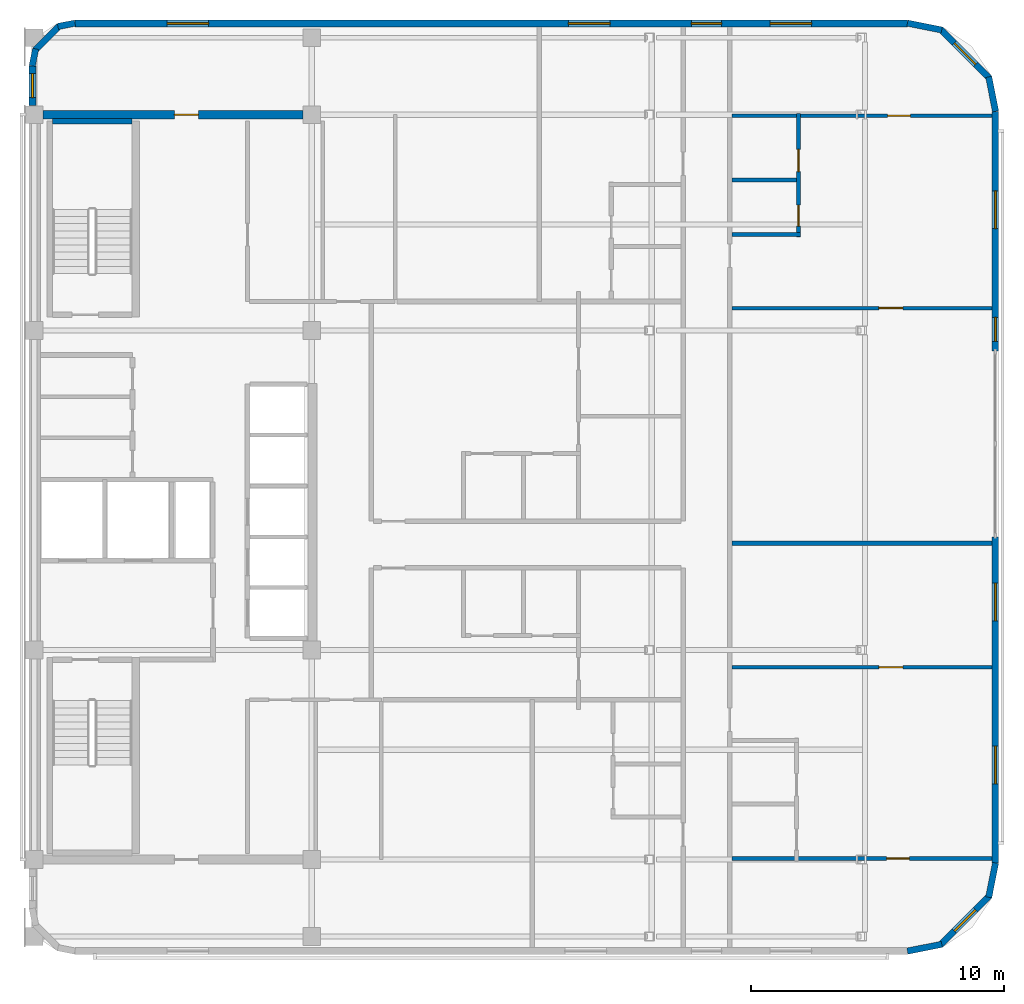
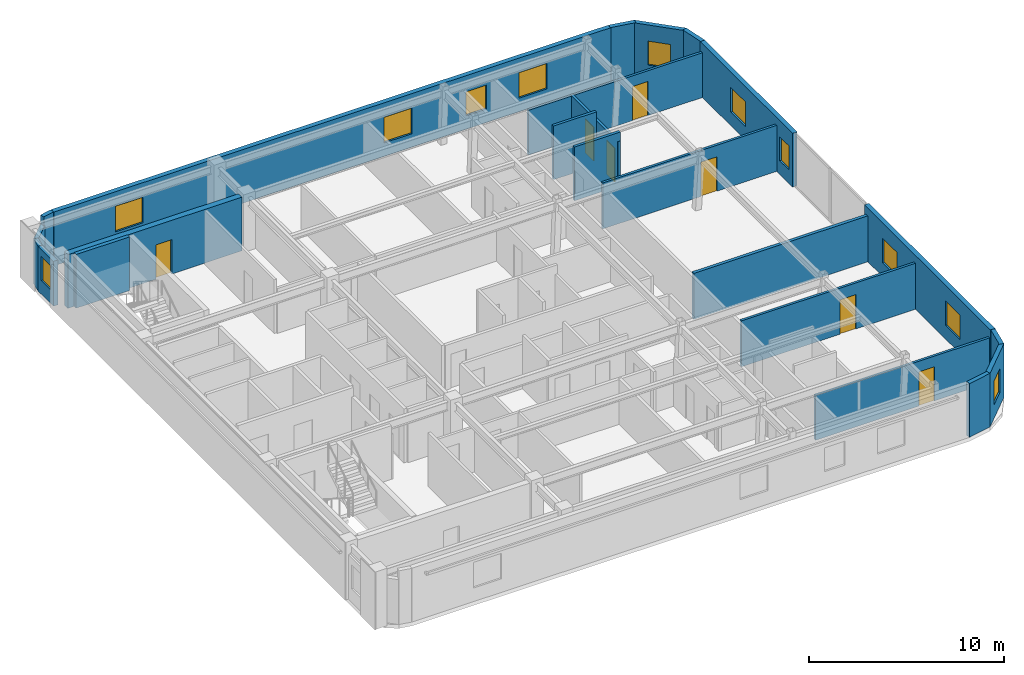
# One storey, part 6 of 10: 23 walls, 11 windows, 7 doors, 18 openings.
"""IFC4 building model written with IfcOpenShell, lengths in metres."""

from ifc_helpers import new_model, si_unit, direction, frame, frame_2d, origin, place, context, subcontext, project, spatial, rectangle, extrude, material, layer, layer_set, type_object, element, fill, save


model = new_model("IFC4")

# Units and contexts
model_context = context("Model", 3, precision=1e-05, world=origin(), true_north=direction((0.0, 1.0)))
body_context = subcontext(model_context, "Body", "Model", "MODEL_VIEW")
ifc_project = project(units=[si_unit("LENGTHUNIT", "METRE"), si_unit("AREAUNIT", "SQUARE_METRE"), si_unit("VOLUMEUNIT", "CUBIC_METRE"), si_unit("PLANEANGLEUNIT", "RADIAN"), si_unit("MASSUNIT", "GRAM", prefix="KILO")], contexts=[model_context])

# Site, building, storey
site_placement = place(None, origin())
site = spatial("IfcSite", under=ifc_project, at=site_placement, CompositionType="ELEMENT")
building_placement = place(site_placement, origin())
building = spatial("IfcBuilding", under=site, at=building_placement, Name="Ochreholt Gables", CompositionType="ELEMENT")
storey_placement = place(building_placement, frame((0.0, 0.0, 246.0)))
storey = spatial("IfcBuildingStorey", under=building, at=storey_placement, Name="L64", CompositionType="ELEMENT", Elevation=246.0)

# Wall, opening, door
ifc_material_1 = material(Name="Concrete 50 MPa", Category="concrete")
ifc_layer_1 = layer(ifc_material_1, 0.35009765625, Name="Concrete 50 MPa")
ifc_layer_set_1 = layer_set([ifc_layer_1], Name="Concrete 50 MPa")
wall_type_1 = type_object("IfcWallType", Name="WALL-CSW-350", PredefinedType="SHEAR", material=ifc_layer_set_1)
wall_1_placement = place(storey_placement, frame((24.550048828125, 38.75, 0.0), z_axis=(0.0, 0.0, 1.0), x_axis=(1.0, 0.0, 0.0)))
wall_1 = element("IfcWall", 1, at=wall_1_placement, inside=storey, type_object=wall_type_1, Name="L64 Core North Shear Wall", PredefinedType="SHEAR", context=body_context, shape_type="SweptSolid", body=[
    extrude(rectangle(XDim=10.300048828125, YDim=0.35009765625, at=frame_2d((5.14990234375, 0.0))), origin(), (0.0, 0.0, 1.0), 3.360107421875),
])
opening_1_placement = place(wall_1_placement, frame((5.199951171875, 0.0, 0.0)))
opening_1 = element("IfcOpeningElement", 2, at=opening_1_placement, cuts=wall_1, Name="Opening D-FL2", PredefinedType="OPENING", context=body_context, shape_type="SweptSolid", body=[
    extrude(rectangle(XDim=0.949951171875, YDim=2.14990234375, at=frame_2d((0.47509765625, 1.074951171875))), frame((0.0, 0.18505859375, 0.0), z_axis=(0.0, -1.0, 0.0), x_axis=(1.0, 0.0, 0.0)), (0.0, 0.0, 1.0), 0.3701171875),
])
ifc_material_2 = material(Name="Hollow Metal Steel", Category="steel")
door_type_1 = type_object("IfcDoorType", Name="DR-INT-FLB950", OperationType="NOTDEFINED", PredefinedType="DOOR", material=ifc_material_2)
door_1_placement = place(opening_1_placement, origin())
door_1 = element("IfcDoor", 3, at=door_1_placement, inside=storey, type_object=door_type_1, Name="L64 Door D-C3NSR-L64", OperationType="SINGLE_SWING_RIGHT", OverallHeight=2.14990234375, OverallWidth=0.949951171875, PredefinedType="DOOR", context=body_context, shape_type="SweptSolid", body=[
    extrude(rectangle(XDim=0.949951171875, YDim=2.14990234375, at=frame_2d((0.47509765625, 1.074951171875))), frame((0.0, 0.02490234375, 0.0), z_axis=(0.0, -1.0, 0.0), x_axis=(1.0, 0.0, 0.0)), (0.0, 0.0, 1.0), 0.050048828125),
])
fill(opening_1, door_1)

# Wall, openings, windows
ifc_material_3 = material(Name="Precast concrete 40 MPa", Category="concrete")
ifc_layer_2 = layer(ifc_material_3, 0.27001953125, Name="Precast concrete 40 MPa")
ifc_layer_set_2 = layer_set([ifc_layer_2], Name="Precast concrete 40 MPa")
wall_type_2 = type_object("IfcWallType", Name="WALL-EXT-270", PredefinedType="SOLIDWALL", material=ifc_layer_set_2)
wall_2_placement = place(storey_placement, frame((62.264892578125, 9.1201171875, 0.0), z_axis=(0.0, 0.0, 1.0), x_axis=(0.0, 1.0, 0.0)))
wall_2 = element("IfcWall", 4, at=wall_2_placement, inside=storey, type_object=wall_type_2, Name="L64 East Facade Wall 1", PredefinedType="SOLIDWALL", context=body_context, shape_type="SweptSolid", body=[
    extrude(rectangle(XDim=12.909912109375, YDim=0.27001953125, at=frame_2d((6.455078125, 0.0))), origin(), (0.0, 0.0, 1.0), 3.360107421875),
])
opening_2_placement = place(wall_2_placement, frame((3.12451171875, 0.0, 0.85009765625)))
opening_2 = element("IfcOpeningElement", 5, at=opening_2_placement, cuts=wall_2, Name="Opening WN-2", PredefinedType="OPENING", context=body_context, shape_type="SweptSolid", body=[
    extrude(rectangle(XDim=1.5, YDim=1.550048828125, at=frame_2d((0.75, 0.77490234375))), frame((0.0, 0.14501953125, 0.0), z_axis=(0.0, -1.0, 0.0), x_axis=(1.0, 0.0, 0.0)), (0.0, 0.0, 1.0), 0.2900390625),
])
opening_3_placement = place(wall_2_placement, frame((9.579345703125, 0.0, 0.85009765625)))
opening_3 = element("IfcOpeningElement", 6, at=opening_3_placement, cuts=wall_2, Name="Opening WN-2", PredefinedType="OPENING", context=body_context, shape_type="SweptSolid", body=[
    extrude(rectangle(XDim=1.5, YDim=1.550048828125, at=frame_2d((0.75, 0.77490234375))), frame((0.0, 0.14501953125, 0.0), z_axis=(0.0, -1.0, 0.0), x_axis=(1.0, 0.0, 0.0)), (0.0, 0.0, 1.0), 0.2900390625),
])
ifc_material_4 = material(Name="Triple-Glazed Thermally Broken Aluminium Window", Category="aluminium")
window_type_1 = type_object("IfcWindowType", Name="WIN-RES-1500", PartitioningType="SINGLE_PANEL", PredefinedType="WINDOW", material=ifc_material_4)
window_1_placement = place(opening_2_placement, origin())
window_1 = element("IfcWindow", 7, at=window_1_placement, inside=storey, type_object=window_type_1, Name="L64 Window W-EXT-E1-L64-1", OverallHeight=1.550048828125, OverallWidth=1.5, PartitioningType="SINGLE_PANEL", PredefinedType="WINDOW", context=body_context, shape_type="SweptSolid", body=[
    extrude(rectangle(XDim=1.5, YDim=1.550048828125, at=frame_2d((0.75, 0.77490234375))), frame((0.0, 0.030029296875, 0.0), z_axis=(0.0, -1.0, 0.0), x_axis=(1.0, 0.0, 0.0)), (0.0, 0.0, 1.0), 0.06005859375),
])
fill(opening_2, window_1)
window_2_placement = place(opening_3_placement, origin())
window_2 = element("IfcWindow", 8, at=window_2_placement, inside=storey, type_object=window_type_1, Name="L64 Window W-EXT-E1-L64-2", OverallHeight=1.550048828125, OverallWidth=1.5, PartitioningType="SINGLE_PANEL", PredefinedType="WINDOW", context=body_context, shape_type="SweptSolid", body=[
    extrude(rectangle(XDim=1.5, YDim=1.550048828125, at=frame_2d((0.75, 0.77490234375))), frame((0.0, 0.030029296875, 0.0), z_axis=(0.0, -1.0, 0.0), x_axis=(1.0, 0.0, 0.0)), (0.0, 0.0, 1.0), 0.06005859375),
])
fill(opening_3, window_2)

wall_3_placement = place(storey_placement, frame((62.264892578125, 29.39990234375, 0.0), z_axis=(0.0, 0.0, 1.0), x_axis=(0.0, 1.0, 0.0)))
wall_3 = element("IfcWall", 9, at=wall_3_placement, inside=storey, type_object=wall_type_2, Name="L64 East Facade Wall 2", PredefinedType="SOLIDWALL", context=body_context, shape_type="SweptSolid", body=[
    extrude(rectangle(XDim=9.47998046875, YDim=0.27001953125, at=frame_2d((4.739990234375, 0.0))), origin(), (0.0, 0.0, 1.0), 3.360107421875),
])
opening_4_placement = place(wall_3_placement, frame((0.3701171875, 0.0, 0.85009765625)))
opening_4 = element("IfcOpeningElement", 10, at=opening_4_placement, cuts=wall_3, Name="Opening WN-10", PredefinedType="OPENING", context=body_context, shape_type="SweptSolid", body=[
    extrude(rectangle(XDim=0.949951171875, YDim=1.5, at=frame_2d((0.47509765625, 0.75))), frame((0.0, 0.14501953125, 0.0), z_axis=(0.0, -1.0, 0.0), x_axis=(1.0, 0.0, 0.0)), (0.0, 0.0, 1.0), 0.2900390625),
])
opening_5_placement = place(wall_3_placement, frame((4.8349609375, 0.0, 0.85009765625)))
opening_5 = element("IfcOpeningElement", 11, at=opening_5_placement, cuts=wall_3, Name="Opening WN-2", PredefinedType="OPENING", context=body_context, shape_type="SweptSolid", body=[
    extrude(rectangle(XDim=1.5, YDim=1.550048828125, at=frame_2d((0.75, 0.77490234375))), frame((0.0, 0.14501953125, 0.0), z_axis=(0.0, -1.0, 0.0), x_axis=(1.0, 0.0, 0.0)), (0.0, 0.0, 1.0), 0.2900390625),
])
window_3_placement = place(opening_5_placement, origin())
window_3 = element("IfcWindow", 12, at=window_3_placement, inside=storey, type_object=window_type_1, Name="L64 Window W-EXT-E2-L64-2", OverallHeight=1.550048828125, OverallWidth=1.5, PartitioningType="SINGLE_PANEL", PredefinedType="WINDOW", context=body_context, shape_type="SweptSolid", body=[
    extrude(rectangle(XDim=1.5, YDim=1.550048828125, at=frame_2d((0.75, 0.77490234375))), frame((0.0, 0.030029296875, 0.0), z_axis=(0.0, -1.0, 0.0), x_axis=(1.0, 0.0, 0.0)), (0.0, 0.0, 1.0), 0.06005859375),
])
fill(opening_5, window_3)
window_type_2 = type_object("IfcWindowType", Name="WIN-RES-950", PartitioningType="SINGLE_PANEL", PredefinedType="WINDOW", material=ifc_material_4)
window_4_placement = place(opening_4_placement, origin())
window_4 = element("IfcWindow", 13, at=window_4_placement, inside=storey, type_object=window_type_2, Name="L64 Window W-EXT-E2-L64-1", OverallHeight=1.5, OverallWidth=0.949951171875, PartitioningType="SINGLE_PANEL", PredefinedType="WINDOW", context=body_context, shape_type="SweptSolid", body=[
    extrude(rectangle(XDim=0.949951171875, YDim=1.5, at=frame_2d((0.47509765625, 0.75))), frame((0.0, 0.030029296875, 0.0), z_axis=(0.0, -1.0, 0.0), x_axis=(1.0, 0.0, 0.0)), (0.0, 0.0, 1.0), 0.06005859375),
])
fill(opening_4, window_4)

wall_4_placement = place(storey_placement, frame((58.780029296875, 42.364990234375, 0.0), z_axis=(0.0, 0.0, 1.0), x_axis=(-1.0, 0.0, 0.0)))
wall_4 = element("IfcWall", 14, at=wall_4_placement, inside=storey, type_object=wall_type_2, Name="L64 North Exterior Wall", PredefinedType="SOLIDWALL", context=body_context, shape_type="SweptSolid", body=[
    extrude(rectangle(XDim=32.9599609375, YDim=0.27001953125, at=frame_2d((16.47998046875, 0.0))), origin(), (0.0, 0.0, 1.0), 3.360107421875),
])
opening_6_placement = place(wall_4_placement, frame((27.6650390625, 0.0, 0.85009765625)))
opening_6 = element("IfcOpeningElement", 15, at=opening_6_placement, cuts=wall_4, Name="Opening WN-7", PredefinedType="OPENING", context=body_context, shape_type="SweptSolid", body=[
    extrude(rectangle(XDim=1.64990234375, YDim=1.60009765625, at=frame_2d((0.824951171875, 0.800048828125))), frame((0.0, 0.14501953125, 0.0), z_axis=(0.0, -1.0, 0.0), x_axis=(1.0, 0.0, 0.0)), (0.0, 0.0, 1.0), 0.2900390625),
])
opening_7_placement = place(wall_4_placement, frame((11.7705078125, 0.0, 0.85009765625)))
opening_7 = element("IfcOpeningElement", 16, at=opening_7_placement, cuts=wall_4, Name="Opening WN-7", PredefinedType="OPENING", context=body_context, shape_type="SweptSolid", body=[
    extrude(rectangle(XDim=1.64990234375, YDim=1.60009765625, at=frame_2d((0.824951171875, 0.800048828125))), frame((0.0, 0.14501953125, 0.0), z_axis=(0.0, -1.0, 0.0), x_axis=(1.0, 0.0, 0.0)), (0.0, 0.0, 1.0), 0.2900390625),
])
opening_8_placement = place(wall_4_placement, frame((7.35498046875, 0.0, 0.85009765625)))
opening_8 = element("IfcOpeningElement", 17, at=opening_8_placement, cuts=wall_4, Name="Opening WN-3", PredefinedType="OPENING", context=body_context, shape_type="SweptSolid", body=[
    extrude(rectangle(XDim=1.199951171875, YDim=1.5, at=frame_2d((0.60009765625, 0.75))), frame((0.0, 0.14501953125, 0.0), z_axis=(0.0, -1.0, 0.0), x_axis=(1.0, 0.0, 0.0)), (0.0, 0.0, 1.0), 0.2900390625),
])
opening_9_placement = place(wall_4_placement, frame((3.785400390625, 0.0, 0.85009765625)))
opening_9 = element("IfcOpeningElement", 18, at=opening_9_placement, cuts=wall_4, Name="Opening WN-7", PredefinedType="OPENING", context=body_context, shape_type="SweptSolid", body=[
    extrude(rectangle(XDim=1.64990234375, YDim=1.60009765625, at=frame_2d((0.824951171875, 0.800048828125))), frame((0.0, 0.14501953125, 0.0), z_axis=(0.0, -1.0, 0.0), x_axis=(1.0, 0.0, 0.0)), (0.0, 0.0, 1.0), 0.2900390625),
])
window_type_3 = type_object("IfcWindowType", Name="WIN-RES-1200", PartitioningType="SINGLE_PANEL", PredefinedType="WINDOW", material=ifc_material_4)
window_5_placement = place(opening_8_placement, origin())
window_5 = element("IfcWindow", 19, at=window_5_placement, inside=storey, type_object=window_type_3, Name="L64 Window W-EXT-N-L64-3", OverallHeight=1.5, OverallWidth=1.199951171875, PartitioningType="SINGLE_PANEL", PredefinedType="WINDOW", context=body_context, shape_type="SweptSolid", body=[
    extrude(rectangle(XDim=1.199951171875, YDim=1.5, at=frame_2d((0.60009765625, 0.75))), frame((0.0, 0.030029296875, 0.0), z_axis=(0.0, -1.0, 0.0), x_axis=(1.0, 0.0, 0.0)), (0.0, 0.0, 1.0), 0.06005859375),
])
fill(opening_8, window_5)
window_type_4 = type_object("IfcWindowType", Name="WIN-RES-1650", PartitioningType="SINGLE_PANEL", PredefinedType="WINDOW", material=ifc_material_4)
window_6_placement = place(opening_6_placement, origin())
window_6 = element("IfcWindow", 20, at=window_6_placement, inside=storey, type_object=window_type_4, Name="L64 Window W-EXT-N-L64-1", OverallHeight=1.60009765625, OverallWidth=1.64990234375, PartitioningType="SINGLE_PANEL", PredefinedType="WINDOW", context=body_context, shape_type="SweptSolid", body=[
    extrude(rectangle(XDim=1.64990234375, YDim=1.60009765625, at=frame_2d((0.824951171875, 0.800048828125))), frame((0.0, 0.030029296875, 0.0), z_axis=(0.0, -1.0, 0.0), x_axis=(1.0, 0.0, 0.0)), (0.0, 0.0, 1.0), 0.06005859375),
])
fill(opening_6, window_6)
window_7_placement = place(opening_7_placement, origin())
window_7 = element("IfcWindow", 21, at=window_7_placement, inside=storey, type_object=window_type_4, Name="L64 Window W-EXT-N-L64-2", OverallHeight=1.60009765625, OverallWidth=1.64990234375, PartitioningType="SINGLE_PANEL", PredefinedType="WINDOW", context=body_context, shape_type="SweptSolid", body=[
    extrude(rectangle(XDim=1.64990234375, YDim=1.60009765625, at=frame_2d((0.824951171875, 0.800048828125))), frame((0.0, 0.030029296875, 0.0), z_axis=(0.0, -1.0, 0.0), x_axis=(1.0, 0.0, 0.0)), (0.0, 0.0, 1.0), 0.06005859375),
])
fill(opening_7, window_7)
window_8_placement = place(opening_9_placement, origin())
window_8 = element("IfcWindow", 22, at=window_8_placement, inside=storey, type_object=window_type_4, Name="L64 Window W-EXT-N-L64-4", OverallHeight=1.60009765625, OverallWidth=1.64990234375, PartitioningType="SINGLE_PANEL", PredefinedType="WINDOW", context=body_context, shape_type="SweptSolid", body=[
    extrude(rectangle(XDim=1.64990234375, YDim=1.60009765625, at=frame_2d((0.824951171875, 0.800048828125))), frame((0.0, 0.030029296875, 0.0), z_axis=(0.0, -1.0, 0.0), x_axis=(1.0, 0.0, 0.0)), (0.0, 0.0, 1.0), 0.06005859375),
])
fill(opening_9, window_8)

# Wall, opening, window
wall_5_placement = place(storey_placement, frame((24.135009765625, 39.1201171875, 0.0), z_axis=(0.0, 0.0, 1.0), x_axis=(0.0, 1.0, 0.0)))
wall_5 = element("IfcWall", 23, at=wall_5_placement, inside=storey, type_object=wall_type_2, Name="L64 West Facade North Bay Wall", PredefinedType="SOLIDWALL", context=body_context, shape_type="SweptSolid", body=[
    extrude(rectangle(XDim=1.559814453125, YDim=0.27001953125, at=frame_2d((0.77978515625, 0.0))), origin(), (0.0, 0.0, 1.0), 2.802978515625),
])
opening_10_placement = place(wall_5_placement, frame((0.304931640625, 0.0, 0.85009765625)))
opening_10 = element("IfcOpeningElement", 24, at=opening_10_placement, cuts=wall_5, Name="Opening WN-10", PredefinedType="OPENING", context=body_context, shape_type="SweptSolid", body=[
    extrude(rectangle(XDim=0.949951171875, YDim=1.5, at=frame_2d((0.47509765625, 0.75))), frame((0.0, 0.14501953125, 0.0), z_axis=(0.0, -1.0, 0.0), x_axis=(1.0, 0.0, 0.0)), (0.0, 0.0, 1.0), 0.2900390625),
])
window_9_placement = place(opening_10_placement, origin())
window_9 = element("IfcWindow", 25, at=window_9_placement, inside=storey, type_object=window_type_2, Name="L64 North Sky Reading West Window", OverallHeight=1.5, OverallWidth=0.949951171875, PartitioningType="SINGLE_PANEL", PredefinedType="WINDOW", context=body_context, shape_type="SweptSolid", body=[
    extrude(rectangle(XDim=0.949951171875, YDim=1.5, at=frame_2d((0.47509765625, 0.75))), frame((0.0, 0.030029296875, 0.0), z_axis=(0.0, -1.0, 0.0), x_axis=(1.0, 0.0, 0.0)), (0.0, 0.0, 1.0), 0.06005859375),
])
fill(opening_10, window_9)

# Wall
ifc_layer_3 = layer(ifc_material_3, 0.25, Name="Precast concrete 40 MPa")
ifc_layer_set_3 = layer_set([ifc_layer_3], Name="Precast concrete 40 MPa")
wall_type_3 = type_object("IfcWallType", Name="WALL-EXT-CNR", PredefinedType="SOLIDWALL", material=ifc_layer_set_3)
wall_6_placement = place(storey_placement, frame((58.783447265625, 5.624267578125, 0.0), z_axis=(0.0, 0.0, 1.0), x_axis=(0.980809899341, 0.19496651342, 0.0)))
element("IfcWall", 26, at=wall_6_placement, inside=storey, type_object=wall_type_3, Name="L64 Rounded Corner Wall SE-1", PredefinedType="SOLIDWALL", context=body_context, shape_type="SweptSolid", body=[
    extrude(rectangle(XDim=1.388671875, YDim=0.25, at=frame_2d((0.6943359375, 0.0))), origin(), (0.0, 0.0, 1.0), 3.360107421875),
])

# Wall, opening, window
wall_7_placement = place(storey_placement, frame((60.094970703125, 5.867919921875, 0.0), z_axis=(0.0, 0.0, 1.0), x_axis=(0.707106781187, 0.707106781187, 0.0)))
wall_7 = element("IfcWall", 27, at=wall_7_placement, inside=storey, type_object=wall_type_3, Name="L64 Rounded Corner Wall SE-2", PredefinedType="SOLIDWALL", context=body_context, shape_type="SweptSolid", body=[
    extrude(rectangle(XDim=2.7392578125, YDim=0.25, at=frame_2d((1.36962890625, 0.0))), origin(), (0.0, 0.0, 1.0), 3.360107421875),
])
opening_11_placement = place(wall_7_placement, frame((0.769775390625, 0.0, 0.85009765625)))
opening_11 = element("IfcOpeningElement", 28, at=opening_11_placement, cuts=wall_7, Name="Opening WN-3", PredefinedType="OPENING", context=body_context, shape_type="SweptSolid", body=[
    extrude(rectangle(XDim=1.199951171875, YDim=1.5, at=frame_2d((0.60009765625, 0.75))), frame((0.0, 0.135009765625, 0.0), z_axis=(0.0, -1.0, 0.0), x_axis=(1.0, 0.0, 0.0)), (0.0, 0.0, 1.0), 0.27001953125),
])
window_10_placement = place(opening_11_placement, origin())
window_10 = element("IfcWindow", 29, at=window_10_placement, inside=storey, type_object=window_type_3, Name="L64 Corner Bedroom Window SE", OverallHeight=1.5, OverallWidth=1.199951171875, PartitioningType="SINGLE_PANEL", PredefinedType="WINDOW", context=body_context, shape_type="SweptSolid", body=[
    extrude(rectangle(XDim=1.199951171875, YDim=1.5, at=frame_2d((0.60009765625, 0.75))), frame((0.0, 0.030029296875, 0.0), z_axis=(0.0, -1.0, 0.0), x_axis=(1.0, 0.0, 0.0)), (0.0, 0.0, 1.0), 0.06005859375),
])
fill(opening_11, window_10)

# Walls
for number, where, z_axis, x_axis, name in (
    (30, (62.0048828125, 7.75439453125, 0.0), (0.0, 0.0, 1.0), (0.195135625965, 0.9807762678, 0.0), "L64 Rounded Corner Wall SE-3"),
    (31, (62.27587890625, 38.883544921875, 0.0), (0.0, 0.0, 1.0), (-0.195135625965, 0.9807762678, 0.0), "L64 Rounded Corner Wall NE-1"),
):
    element("IfcWall", number, at=place(storey_placement, frame(where, z_axis=z_axis, x_axis=x_axis)), inside=storey, type_object=wall_type_3, Name=name, PredefinedType="SOLIDWALL", context=body_context, shape_type="SweptSolid", body=[
        extrude(rectangle(XDim=1.388671875, YDim=0.25, at=frame_2d((0.6943359375, 0.0))), origin(), (0.0, 0.0, 1.0), 3.360107421875),
    ])

# Wall, opening, window
wall_8_placement = place(storey_placement, frame((62.031982421875, 40.195068359375, 0.0), z_axis=(0.0, 0.0, 1.0), x_axis=(-0.707106781187, 0.707106781187, 0.0)))
wall_8 = element("IfcWall", 32, at=wall_8_placement, inside=storey, type_object=wall_type_3, Name="L64 Rounded Corner Wall NE-2", PredefinedType="SOLIDWALL", context=body_context, shape_type="SweptSolid", body=[
    extrude(rectangle(XDim=2.7392578125, YDim=0.25, at=frame_2d((1.36962890625, 0.0))), origin(), (0.0, 0.0, 1.0), 3.360107421875),
])
opening_12_placement = place(wall_8_placement, frame((0.769775390625, 0.0, 0.85009765625)))
opening_12 = element("IfcOpeningElement", 33, at=opening_12_placement, cuts=wall_8, Name="Opening WN-3", PredefinedType="OPENING", context=body_context, shape_type="SweptSolid", body=[
    extrude(rectangle(XDim=1.199951171875, YDim=1.5, at=frame_2d((0.60009765625, 0.75))), frame((0.0, 0.135009765625, 0.0), z_axis=(0.0, -1.0, 0.0), x_axis=(1.0, 0.0, 0.0)), (0.0, 0.0, 1.0), 0.27001953125),
])
window_11_placement = place(opening_12_placement, origin())
window_11 = element("IfcWindow", 34, at=window_11_placement, inside=storey, type_object=window_type_3, Name="L64 Corner Bedroom Window NE", OverallHeight=1.5, OverallWidth=1.199951171875, PartitioningType="SINGLE_PANEL", PredefinedType="WINDOW", context=body_context, shape_type="SweptSolid", body=[
    extrude(rectangle(XDim=1.199951171875, YDim=1.5, at=frame_2d((0.60009765625, 0.75))), frame((0.0, 0.030029296875, 0.0), z_axis=(0.0, -1.0, 0.0), x_axis=(1.0, 0.0, 0.0)), (0.0, 0.0, 1.0), 0.06005859375),
])
fill(opening_12, window_11)

# Walls
wall_9_placement = place(storey_placement, frame((60.1455078125, 42.10498046875, 0.0), z_axis=(0.0, 0.0, 1.0), x_axis=(-0.980809899341, 0.19496651342, 0.0)))
element("IfcWall", 35, at=wall_9_placement, inside=storey, type_object=wall_type_3, Name="L64 Rounded Corner Wall NE-3", PredefinedType="SOLIDWALL", context=body_context, shape_type="SweptSolid", body=[
    extrude(rectangle(XDim=1.388671875, YDim=0.25, at=frame_2d((0.6943359375, 0.0))), origin(), (0.0, 0.0, 1.0), 3.360107421875),
])
wall_10_placement = place(storey_placement, frame((25.81640625, 42.375732421875, 0.0), z_axis=(0.0, 0.0, 1.0), x_axis=(-0.980812594069, -0.194952956674, 0.0)))
element("IfcWall", 36, at=wall_10_placement, inside=storey, type_object=wall_type_3, Name="L64 Rounded Corner Wall NW-1", PredefinedType="SOLIDWALL", context=body_context, shape_type="SweptSolid", body=[
    extrude(rectangle(XDim=0.686279296875, YDim=0.25, at=frame_2d((0.34326171875, 0.0))), origin(), (0.0, 0.0, 1.0), 3.360107421875),
])
wall_11_placement = place(storey_placement, frame((25.19384765625, 42.26904296875, 0.0), z_axis=(0.0, 0.0, 1.0), x_axis=(-0.707106781187, -0.707106781187, 0.0)))
element("IfcWall", 37, at=wall_11_placement, inside=storey, type_object=wall_type_3, Name="L64 Rounded Corner Wall NW-2", PredefinedType="SOLIDWALL", context=body_context, shape_type="SweptSolid", body=[
    extrude(rectangle(XDim=1.36181640625, YDim=0.25, at=frame_2d((0.680908203125, 0.0))), origin(), (0.0, 0.0, 1.0), 2.802978515625),
])
wall_12_placement = place(storey_placement, frame((24.258056640625, 41.356689453125, 0.0), z_axis=(0.0, 0.0, 1.0), x_axis=(-0.194952956674, -0.980812594069, 0.0)))
element("IfcWall", 38, at=wall_12_placement, inside=storey, type_object=wall_type_3, Name="L64 Rounded Corner Wall NW-3", PredefinedType="SOLIDWALL", context=body_context, shape_type="SweptSolid", body=[
    extrude(rectangle(XDim=0.686279296875, YDim=0.25, at=frame_2d((0.34326171875, 0.0))), origin(), (0.0, 0.0, 1.0), 2.802978515625),
])
ifc_material_5 = material(Name="Double-Stud Acoustic Demising Wall", Category="gypsum")
ifc_layer_4 = layer(ifc_material_5, 0.18505859375, Name="Double-Stud Acoustic Demising Wall")
ifc_layer_set_4 = layer_set([ifc_layer_4], Name="Double-Stud Acoustic Demising Wall")
wall_type_4 = type_object("IfcWallType", Name="WALL-INT-DM185", PredefinedType="PARTITIONING", material=ifc_layer_set_4)
wall_13_placement = place(storey_placement, frame((51.840087890625, 21.780029296875, 0.0), z_axis=(0.0, 0.0, 1.0), x_axis=(1.0, 0.0, 0.0)))
element("IfcWall", 39, at=wall_13_placement, inside=storey, type_object=wall_type_4, Name="L64 Interior Wall WI-C3UDE2-L64", PredefinedType="PARTITIONING", context=body_context, shape_type="SweptSolid", body=[
    extrude(rectangle(XDim=10.289794921875, YDim=0.18505859375, at=frame_2d((5.14501953125, 0.0))), origin(), (0.0, 0.0, 1.0), 2.87890625),
])
ifc_material_6 = material(Name="Moisture-Resistant Plumbing Chase Wall", Category="gypsum")
ifc_layer_5 = layer(ifc_material_6, 0.159912109375, Name="Moisture-Resistant Plumbing Chase Wall")
ifc_layer_set_5 = layer_set([ifc_layer_5], Name="Moisture-Resistant Plumbing Chase Wall")
wall_type_5 = type_object("IfcWallType", Name="WALL-INT-PL160", PredefinedType="PLUMBINGWALL", material=ifc_layer_set_5)
wall_14_placement = place(storey_placement, frame((51.840087890625, 34.0029296875, 0.0), z_axis=(0.0, 0.0, 1.0), x_axis=(1.0, 0.0, 0.0)))
element("IfcWall", 40, at=wall_14_placement, inside=storey, type_object=wall_type_5, Name="L64 Interior Wall WU-L64E2-FYS", PredefinedType="PLUMBINGWALL", context=body_context, shape_type="SweptSolid", body=[
    extrude(rectangle(XDim=2.7119140625, YDim=0.159912109375, at=frame_2d((1.35595703125, 0.0))), origin(), (0.0, 0.0, 1.0), 3.360107421875),
])

# Wall, openings, doors
wall_15_placement = place(storey_placement, frame((54.471923828125, 33.9130859375, 0.0), z_axis=(0.0, 0.0, 1.0), x_axis=(0.0, 1.0, 0.0)))
wall_15 = element("IfcWall", 41, at=wall_15_placement, inside=storey, type_object=wall_type_5, Name="L64 Interior Wall WU-L64E2-WX", PredefinedType="PLUMBINGWALL", context=body_context, shape_type="SweptSolid", body=[
    extrude(rectangle(XDim=4.886962890625, YDim=0.159912109375, at=frame_2d((2.443359375, 0.0))), origin(), (0.0, 0.0, 1.0), 2.802978515625),
])
opening_13_placement = place(wall_15_placement, frame((0.419921875, 0.0, 0.0)))
opening_13 = element("IfcOpeningElement", 42, at=opening_13_placement, cuts=wall_15, Name="Opening D-BT2", PredefinedType="OPENING", context=body_context, shape_type="SweptSolid", body=[
    extrude(rectangle(XDim=0.840087890625, YDim=2.1201171875, at=frame_2d((0.419921875, 1.06005859375))), frame((0.0, 0.08984375, 0.0), z_axis=(0.0, -1.0, 0.0), x_axis=(1.0, 0.0, 0.0)), (0.0, 0.0, 1.0), 0.179931640625),
])
opening_14_placement = place(wall_15_placement, frame((2.585205078125, 0.0, 0.0)))
opening_14 = element("IfcOpeningElement", 43, at=opening_14_placement, cuts=wall_15, Name="Opening D-GN2", PredefinedType="OPENING", context=body_context, shape_type="SweptSolid", body=[
    extrude(rectangle(XDim=0.8798828125, YDim=2.1201171875, at=frame_2d((0.43994140625, 1.06005859375))), frame((0.0, 0.08984375, 0.0), z_axis=(0.0, -1.0, 0.0), x_axis=(1.0, 0.0, 0.0)), (0.0, 0.0, 1.0), 0.179931640625),
])
ifc_material_7 = material(Name="Engineered Oak Timber", Category="wood")
door_type_2 = type_object("IfcDoorType", Name="DR-INT-BTH840", OperationType="NOTDEFINED", PredefinedType="DOOR", material=ifc_material_7)
door_2_placement = place(opening_13_placement, origin())
door_2 = element("IfcDoor", 44, at=door_2_placement, inside=storey, type_object=door_type_2, Name="L64 Door D-U-L64E2-BTH", OperationType="SINGLE_SWING_RIGHT", OverallHeight=2.1201171875, OverallWidth=0.840087890625, PredefinedType="DOOR", context=body_context, shape_type="SweptSolid", body=[
    extrude(rectangle(XDim=0.840087890625, YDim=2.1201171875, at=frame_2d((0.419921875, 1.06005859375))), frame((0.0, 0.02490234375, 0.0), z_axis=(0.0, -1.0, 0.0), x_axis=(1.0, 0.0, 0.0)), (0.0, 0.0, 1.0), 0.050048828125),
])
fill(opening_13, door_2)
door_type_3 = type_object("IfcDoorType", Name="DR-INT-GEN880", OperationType="NOTDEFINED", PredefinedType="DOOR", material=ifc_material_7)
door_3_placement = place(opening_14_placement, origin())
door_3 = element("IfcDoor", 45, at=door_3_placement, inside=storey, type_object=door_type_3, Name="L64 Door D-U-L64E2-KIT", OperationType="SINGLE_SWING_LEFT", OverallHeight=2.1201171875, OverallWidth=0.8798828125, PredefinedType="DOOR", context=body_context, shape_type="SweptSolid", body=[
    extrude(rectangle(XDim=0.8798828125, YDim=2.1201171875, at=frame_2d((0.43994140625, 1.06005859375))), frame((0.0, 0.02490234375, 0.0), z_axis=(0.0, -1.0, 0.0), x_axis=(1.0, 0.0, 0.0)), (0.0, 0.0, 1.0), 0.050048828125),
])
fill(opening_14, door_3)

# Wall
wall_16_placement = place(storey_placement, frame((51.840087890625, 36.168212890625, 0.0), z_axis=(0.0, 0.0, 1.0), x_axis=(1.0, 0.0, 0.0)))
element("IfcWall", 46, at=wall_16_placement, inside=storey, type_object=wall_type_5, Name="L64 Interior Wall WU-L64E2-WK", PredefinedType="PLUMBINGWALL", context=body_context, shape_type="SweptSolid", body=[
    extrude(rectangle(XDim=2.552001953125, YDim=0.159912109375, at=frame_2d((1.27587890625, 0.0))), origin(), (0.0, 0.0, 1.0), 3.360107421875),
])

# Wall, opening, door
ifc_material_8 = material(Name="Lightweight Stud Partition", Category="gypsum")
ifc_layer_6 = layer(ifc_material_8, 0.14501953125, Name="Lightweight Stud Partition")
ifc_layer_set_6 = layer_set([ifc_layer_6], Name="Lightweight Stud Partition")
wall_type_6 = type_object("IfcWallType", Name="WALL-INT-PT145", PredefinedType="PARTITIONING", material=ifc_layer_set_6)
wall_17_placement = place(storey_placement, frame((51.840087890625, 9.2900390625, 0.0), z_axis=(0.0, 0.0, 1.0), x_axis=(1.0, 0.0, 0.0)))
wall_17 = element("IfcWall", 47, at=wall_17_placement, inside=storey, type_object=wall_type_6, Name="L64 Interior Wall WU-L64E1-MN", PredefinedType="PARTITIONING", context=body_context, shape_type="SweptSolid", body=[
    extrude(rectangle(XDim=10.289794921875, YDim=0.14501953125, at=frame_2d((5.14501953125, 0.0))), origin(), (0.0, 0.0, 1.0), 2.802978515625),
])
opening_15_placement = place(wall_17_placement, frame((6.123046875, 0.0, 0.0)))
opening_15 = element("IfcOpeningElement", 48, at=opening_15_placement, cuts=wall_17, Name="Opening D-BD1", PredefinedType="OPENING", context=body_context, shape_type="SweptSolid", body=[
    extrude(rectangle(XDim=0.89990234375, YDim=2.139892578125, at=frame_2d((0.449951171875, 1.06982421875))), frame((0.0, 0.08251953125, 0.0), z_axis=(0.0, -1.0, 0.0), x_axis=(1.0, 0.0, 0.0)), (0.0, 0.0, 1.0), 0.1650390625),
])
door_type_4 = type_object("IfcDoorType", Name="DR-INT-BED900", OperationType="NOTDEFINED", PredefinedType="DOOR", material=ifc_material_7)
door_4_placement = place(opening_15_placement, origin())
door_4 = element("IfcDoor", 49, at=door_4_placement, inside=storey, type_object=door_type_4, Name="L64 Door D-U-L64E1-BD1", OperationType="SINGLE_SWING_LEFT", OverallHeight=2.139892578125, OverallWidth=0.89990234375, PredefinedType="DOOR", context=body_context, shape_type="SweptSolid", body=[
    extrude(rectangle(XDim=0.89990234375, YDim=2.139892578125, at=frame_2d((0.449951171875, 1.06982421875))), frame((0.0, 0.02490234375, 0.0), z_axis=(0.0, -1.0, 0.0), x_axis=(1.0, 0.0, 0.0)), (0.0, 0.0, 1.0), 0.050048828125),
])
fill(opening_15, door_4)

wall_18_placement = place(storey_placement, frame((51.840087890625, 16.868896484375, 0.0), z_axis=(0.0, 0.0, 1.0), x_axis=(1.0, 0.0, 0.0)))
wall_18 = element("IfcWall", 50, at=wall_18_placement, inside=storey, type_object=wall_type_6, Name="L64 Interior Wall WU-L64E1-DNW", PredefinedType="PARTITIONING", context=body_context, shape_type="SweptSolid", body=[
    extrude(rectangle(XDim=10.289794921875, YDim=0.14501953125, at=frame_2d((5.14501953125, 0.0))), origin(), (0.0, 0.0, 1.0), 2.87890625),
])
opening_16_placement = place(wall_18_placement, frame((5.81494140625, 0.0, 0.0)))
opening_16 = element("IfcOpeningElement", 51, at=opening_16_placement, cuts=wall_18, Name="Opening D-GN1", PredefinedType="OPENING", context=body_context, shape_type="SweptSolid", body=[
    extrude(rectangle(XDim=0.949951171875, YDim=2.14990234375, at=frame_2d((0.47509765625, 1.074951171875))), frame((0.0, 0.08251953125, 0.0), z_axis=(0.0, -1.0, 0.0), x_axis=(1.0, 0.0, 0.0)), (0.0, 0.0, 1.0), 0.1650390625),
])
door_type_5 = type_object("IfcDoorType", Name="DR-INT-GEN950", OperationType="NOTDEFINED", PredefinedType="DOOR", material=ifc_material_7)
door_5_placement = place(opening_16_placement, origin())
door_5 = element("IfcDoor", 52, at=door_5_placement, inside=storey, type_object=door_type_5, Name="L64 Door D-U-L64E1-DIN", OperationType="SINGLE_SWING_LEFT", OverallHeight=2.14990234375, OverallWidth=0.949951171875, PredefinedType="DOOR", context=body_context, shape_type="SweptSolid", body=[
    extrude(rectangle(XDim=0.949951171875, YDim=2.14990234375, at=frame_2d((0.47509765625, 1.074951171875))), frame((0.0, 0.02490234375, 0.0), z_axis=(0.0, -1.0, 0.0), x_axis=(1.0, 0.0, 0.0)), (0.0, 0.0, 1.0), 0.050048828125),
])
fill(opening_16, door_5)

wall_19_placement = place(storey_placement, frame((51.840087890625, 38.7099609375, 0.0), z_axis=(0.0, 0.0, 1.0), x_axis=(1.0, 0.0, 0.0)))
wall_19 = element("IfcWall", 53, at=wall_19_placement, inside=storey, type_object=wall_type_6, Name="L64 Interior Wall WU-L64E2-MN", PredefinedType="PARTITIONING", context=body_context, shape_type="SweptSolid", body=[
    extrude(rectangle(XDim=10.289794921875, YDim=0.14501953125, at=frame_2d((5.14501953125, 0.0))), origin(), (0.0, 0.0, 1.0), 2.802978515625),
])
opening_17_placement = place(wall_19_placement, frame((6.160888671875, 0.0, 0.0)))
opening_17 = element("IfcOpeningElement", 54, at=opening_17_placement, cuts=wall_19, Name="Opening D-BD1", PredefinedType="OPENING", context=body_context, shape_type="SweptSolid", body=[
    extrude(rectangle(XDim=0.89990234375, YDim=2.139892578125, at=frame_2d((0.449951171875, 1.06982421875))), frame((0.0, 0.08251953125, 0.0), z_axis=(0.0, -1.0, 0.0), x_axis=(1.0, 0.0, 0.0)), (0.0, 0.0, 1.0), 0.1650390625),
])
door_6_placement = place(opening_17_placement, origin())
door_6 = element("IfcDoor", 55, at=door_6_placement, inside=storey, type_object=door_type_4, Name="L64 Door D-U-L64E2-BD1", OperationType="SINGLE_SWING_RIGHT", OverallHeight=2.139892578125, OverallWidth=0.89990234375, PredefinedType="DOOR", context=body_context, shape_type="SweptSolid", body=[
    extrude(rectangle(XDim=0.89990234375, YDim=2.139892578125, at=frame_2d((0.449951171875, 1.06982421875))), frame((0.0, 0.02490234375, 0.0), z_axis=(0.0, -1.0, 0.0), x_axis=(1.0, 0.0, 0.0)), (0.0, 0.0, 1.0), 0.050048828125),
])
fill(opening_17, door_6)

wall_20_placement = place(storey_placement, frame((51.840087890625, 31.08984375, 0.0), z_axis=(0.0, 0.0, 1.0), x_axis=(1.0, 0.0, 0.0)))
wall_20 = element("IfcWall", 56, at=wall_20_placement, inside=storey, type_object=wall_type_6, Name="L64 Interior Wall WU-L64E2-DNW", PredefinedType="PARTITIONING", context=body_context, shape_type="SweptSolid", body=[
    extrude(rectangle(XDim=10.289794921875, YDim=0.14501953125, at=frame_2d((5.14501953125, 0.0))), origin(), (0.0, 0.0, 1.0), 2.87890625),
])
opening_18_placement = place(wall_20_placement, frame((5.81494140625, 0.0, 0.0)))
opening_18 = element("IfcOpeningElement", 57, at=opening_18_placement, cuts=wall_20, Name="Opening D-GN1", PredefinedType="OPENING", context=body_context, shape_type="SweptSolid", body=[
    extrude(rectangle(XDim=0.949951171875, YDim=2.14990234375, at=frame_2d((0.47509765625, 1.074951171875))), frame((0.0, 0.08251953125, 0.0), z_axis=(0.0, -1.0, 0.0), x_axis=(1.0, 0.0, 0.0)), (0.0, 0.0, 1.0), 0.1650390625),
])
door_7_placement = place(opening_18_placement, origin())
door_7 = element("IfcDoor", 58, at=door_7_placement, inside=storey, type_object=door_type_5, Name="L64 Door D-U-L64E2-DIN", OperationType="SINGLE_SWING_RIGHT", OverallHeight=2.14990234375, OverallWidth=0.949951171875, PredefinedType="DOOR", context=body_context, shape_type="SweptSolid", body=[
    extrude(rectangle(XDim=0.949951171875, YDim=2.14990234375, at=frame_2d((0.47509765625, 1.074951171875))), frame((0.0, 0.02490234375, 0.0), z_axis=(0.0, -1.0, 0.0), x_axis=(1.0, 0.0, 0.0)), (0.0, 0.0, 1.0), 0.050048828125),
])
fill(opening_18, door_7)

# Wall
ifc_layer_7 = layer(ifc_material_1, 0.219970703125, Name="Concrete 50 MPa")
ifc_layer_set_7 = layer_set([ifc_layer_7], Name="Concrete 50 MPa")
wall_type_7 = type_object("IfcWallType", Name="WALL-STW-220", PredefinedType="SHEAR", material=ifc_layer_set_7)
wall_21_placement = place(storey_placement, frame((24.919921875, 38.489990234375, 0.0), z_axis=(0.0, 0.0, 1.0), x_axis=(1.0, 0.0, 0.0)))
element("IfcWall", 59, at=wall_21_placement, inside=storey, type_object=wall_type_7, Name="L64 Exit Stair 2 North Wall", PredefinedType="SHEAR", context=body_context, shape_type="SweptSolid", body=[
    extrude(rectangle(XDim=3.16015625, YDim=0.219970703125, at=frame_2d((1.580078125, 0.0))), origin(), (0.0, 0.0, 1.0), 3.360107421875),
])

save(model, "model.ifc")
